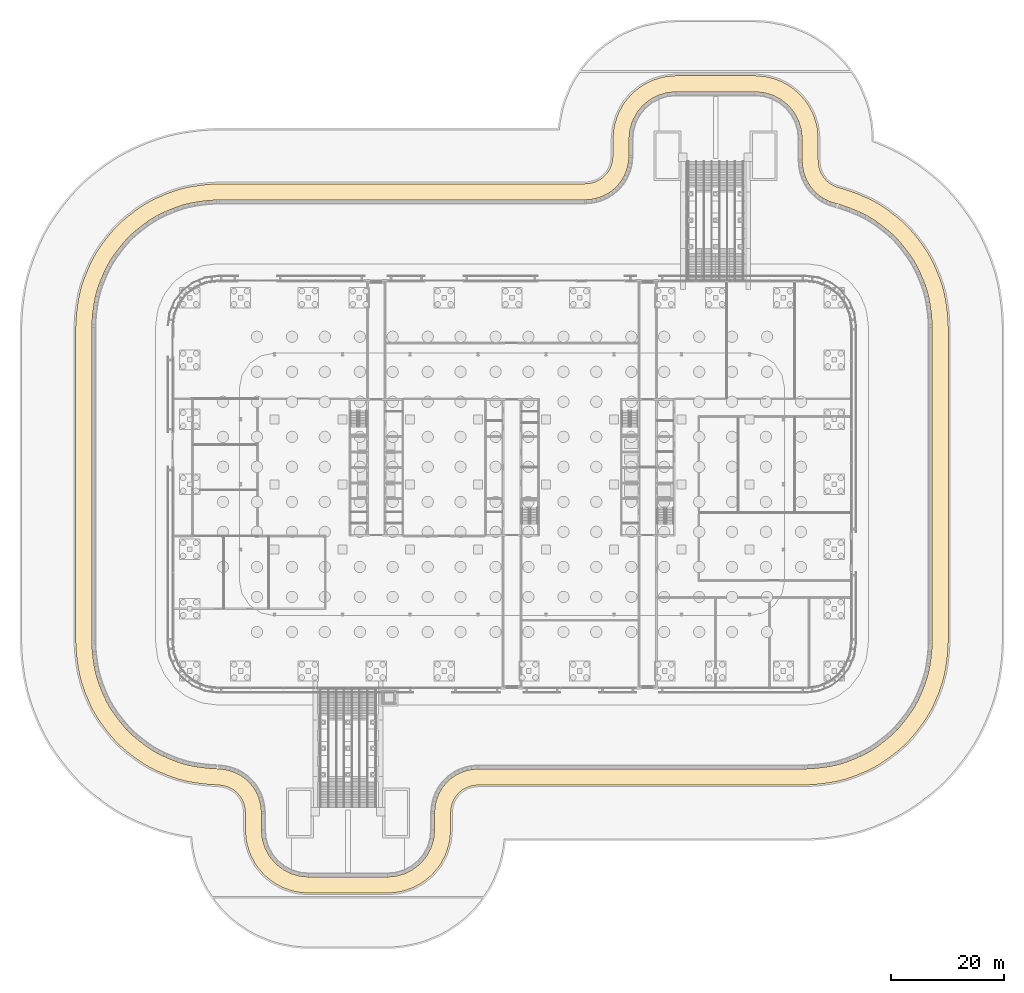
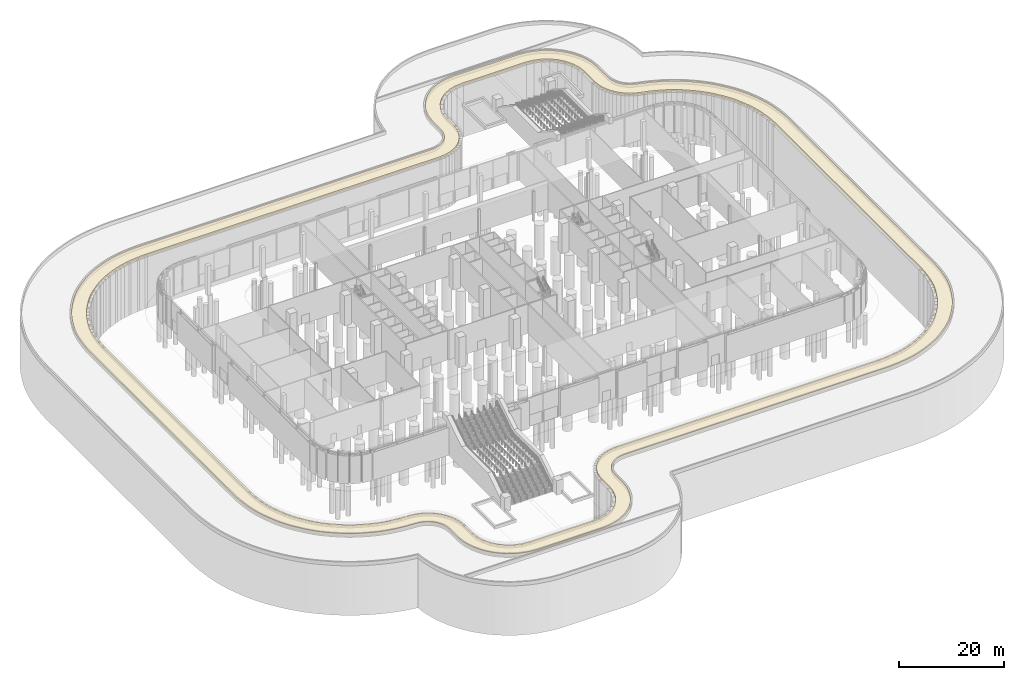
# One storey, part 42 of 48: 1 covering.
"""IFC4 building model written with IfcOpenShell, lengths in metres."""

from ifc_helpers import new_model, si_unit, direction, frame, origin, place, context, subcontext, project, spatial, polyline, outline, extrude, material, layer, layer_set, type_object, element, save


model = new_model("IFC4")

# Units and contexts
model_context = context("Model", 3, precision=1e-05, world=origin(), true_north=direction((0.0, 1.0)))
body_context = subcontext(model_context, "Body", "Model", "MODEL_VIEW")
ifc_project = project(units=[si_unit("LENGTHUNIT", "METRE"), si_unit("AREAUNIT", "SQUARE_METRE"), si_unit("VOLUMEUNIT", "CUBIC_METRE"), si_unit("PLANEANGLEUNIT", "RADIAN"), si_unit("MASSUNIT", "GRAM", prefix="KILO")], contexts=[model_context])

# Site, building, storey
site_placement = place(None, origin())
site = spatial("IfcSite", under=ifc_project, at=site_placement, CompositionType="ELEMENT")
building_placement = place(site_placement, origin())
building = spatial("IfcBuilding", under=site, at=building_placement, Name="Mahtab Terrace Research Tower", CompositionType="ELEMENT")
storey_placement = place(building_placement, origin())
storey = spatial("IfcBuildingStorey", under=building, at=storey_placement, Name="G", CompositionType="ELEMENT", Elevation=0.0)

# Covering
ifc_material = material(Name="Granite paving", Category="masonry")
ifc_layer = layer(ifc_material, 0.669921875)
ifc_layer_set = layer_set([ifc_layer], Name="Granite footpath paving 670")
covering_type = type_object("IfcCoveringType", Name="Granite footpath paving 670", PredefinedType="FLOORING", material=ifc_layer_set)
covering_placement = place(storey_placement, frame((0.0, 0.0, -0.699951171875)))
element("IfcCovering", 1, at=covering_placement, inside=storey, type_object=covering_type, Name="Street footpath 1", PredefinedType="FLOORING", context=body_context, shape_type="SweptSolid", body=[
    extrude(outline(polyline([(-76.6640625, 32.669921875), (-76.64501953125, 32.77392578125), (-76.44189453125, 33.7939453125), (-76.39404296875, 34.0), (-76.1240234375, 35.0048828125), (-76.06298828125, 35.20703125), (-75.72900390625, 36.19189453125), (-75.693115234375, 36.291015625), (-75.510009765625, 36.779052734375), (-75.470947265625, 36.876953125), (-74.873046875, 38.320068359375), (-74.8310546875, 38.4169921875), (-74.615966796875, 38.89111328125), (-74.571044921875, 38.986083984375), (-74.111083984375, 39.919921875), (-74.011962890625, 40.10595703125), (-73.490966796875, 41.007080078125), (-73.3798828125, 41.18603515625), (-72.802001953125, 42.052001953125), (-72.741943359375, 42.138916015625), (-72.43896484375, 42.56201171875), (-72.3759765625, 42.64697265625), (-71.425048828125, 43.885986328125), (-71.35888671875, 43.968994140625), (-71.028076171875, 44.3720703125), (-70.9599609375, 44.452880859375), (-70.27294921875, 45.237060546875), (-70.1279296875, 45.39111328125), (-69.39111328125, 46.1279296875), (-69.237060546875, 46.27294921875), (-68.451904296875, 46.9599609375), (-68.3720703125, 47.029052734375), (-67.968994140625, 47.360107421875), (-67.885986328125, 47.425048828125), (-66.64599609375, 48.3759765625), (-66.56201171875, 48.43896484375), (-66.137939453125, 48.741943359375), (-66.052001953125, 48.802001953125), (-65.18603515625, 49.3798828125), (-65.007080078125, 49.490966796875), (-64.10595703125, 50.011962890625), (-63.919921875, 50.111083984375), (-62.986083984375, 50.571044921875), (-62.89111328125, 50.615966796875), (-62.4169921875, 50.8310546875), (-62.320068359375, 50.873046875), (-60.876953125, 51.470947265625), (-60.779052734375, 51.510009765625), (-60.291015625, 51.693115234375), (-60.19189453125, 51.72900390625), (-59.20703125, 52.06298828125), (-59.0048828125, 52.1240234375), (-57.9990234375, 52.39404296875), (-57.7939453125, 52.44189453125), (-56.77294921875, 52.64501953125), (-56.669921875, 52.6640625), (-56.156005859375, 52.7490234375), (-56.052001953125, 52.763916015625), (-54.501953125, 52.968017578125), (-54.39697265625, 52.98095703125), (-53.8779296875, 53.031982421875), (-53.77294921875, 53.0400390625), (-52.468994140625, 53.1259765625), (-52.364013671875, 53.131103515625), (-51.842041015625, 53.14794921875), (-51.736083984375, 53.14990234375), (12.722900390625, 53.14990234375), (12.72998046875, 53.14990234375), (12.9599609375, 53.160888671875), (12.967041015625, 53.162109375), (13.699951171875, 53.23388671875), (13.714111328125, 53.236083984375), (14.1630859375, 53.325927734375), (14.177978515625, 53.3291015625), (14.615966796875, 53.4619140625), (14.6298828125, 53.467041015625), (15.052978515625, 53.64208984375), (15.06591796875, 53.64892578125), (15.469970703125, 53.864990234375), (15.48291015625, 53.8720703125), (15.864013671875, 54.126953125), (15.875, 54.135009765625), (16.22900390625, 54.426025390625), (16.239990234375, 54.43603515625), (16.56396484375, 54.760009765625), (16.573974609375, 54.77099609375), (16.864990234375, 55.125), (16.873046875, 55.135986328125), (17.1279296875, 55.51708984375), (17.135009765625, 55.530029296875), (17.35107421875, 55.93408203125), (17.35791015625, 55.947021484375), (17.532958984375, 56.3701171875), (17.5380859375, 56.384033203125), (17.6708984375, 56.822021484375), (17.674072265625, 56.8369140625), (17.763916015625, 57.285888671875), (17.76611328125, 57.300048828125), (17.837890625, 58.032958984375), (17.839111328125, 58.0400390625), (17.85009765625, 58.27001953125), (17.85009765625, 58.277099609375), (17.85009765625, 61.111083984375), (17.865966796875, 61.427001953125), (18.01806640625, 62.97705078125), (18.14111328125, 63.596923828125), (18.592041015625, 65.083984375), (18.833984375, 65.66796875), (19.56689453125, 67.0380859375), (19.91796875, 67.56396484375), (20.903076171875, 68.763916015625), (21.35107421875, 69.2119140625), (22.551025390625, 70.197021484375), (23.076904296875, 70.548095703125), (24.447021484375, 71.281005859375), (25.031005859375, 71.52294921875), (26.51806640625, 71.97412109375), (27.137939453125, 72.096923828125), (28.68798828125, 72.2490234375), (29.00390625, 72.264892578125), (42.99609375, 72.264892578125), (43.31201171875, 72.2490234375), (44.862060546875, 72.096923828125), (45.48193359375, 71.97412109375), (46.968994140625, 71.52294921875), (47.552978515625, 71.281005859375), (48.923095703125, 70.548095703125), (49.448974609375, 70.197021484375), (50.64892578125, 69.2119140625), (51.096923828125, 68.763916015625), (52.08203125, 67.56396484375), (52.43310546875, 67.0380859375), (53.166015625, 65.66796875), (53.407958984375, 65.083984375), (53.85888671875, 63.596923828125), (53.98193359375, 62.97705078125), (54.134033203125, 61.427001953125), (54.14990234375, 61.111083984375), (54.14990234375, 57.424072265625), (54.14990234375, 57.4169921875), (54.160888671875, 57.18701171875), (54.162109375, 57.179931640625), (54.23388671875, 56.447998046875), (54.236083984375, 56.43310546875), (54.325927734375, 55.98388671875), (54.3291015625, 55.969970703125), (54.4619140625, 55.531005859375), (54.467041015625, 55.51708984375), (54.64208984375, 55.093994140625), (54.64892578125, 55.0810546875), (54.864013671875, 54.677001953125), (54.8720703125, 54.6640625), (55.1259765625, 54.283935546875), (55.135009765625, 54.27197265625), (55.426025390625, 53.91796875), (55.43603515625, 53.906982421875), (55.759033203125, 53.5830078125), (55.77001953125, 53.572998046875), (56.1240234375, 53.282958984375), (56.135986328125, 53.27392578125), (56.51708984375, 53.01904296875), (56.530029296875, 53.011962890625), (56.93310546875, 52.7958984375), (56.947021484375, 52.7900390625), (57.3701171875, 52.614013671875), (57.384033203125, 52.60888671875), (58.263916015625, 52.342041015625), (58.26708984375, 52.341064453125), (58.341064453125, 52.320068359375), (58.343017578125, 52.320068359375), (58.50390625, 52.27587890625), (58.60595703125, 52.2470703125), (59.10498046875, 52.095947265625), (59.205078125, 52.06396484375), (60.19189453125, 51.72900390625), (60.291015625, 51.693115234375), (60.779052734375, 51.510009765625), (60.876953125, 51.470947265625), (62.320068359375, 50.873046875), (62.4169921875, 50.8310546875), (62.89111328125, 50.615966796875), (62.986083984375, 50.571044921875), (63.919921875, 50.111083984375), (64.10595703125, 50.011962890625), (65.007080078125, 49.490966796875), (65.18603515625, 49.3798828125), (66.052001953125, 48.802001953125), (66.138916015625, 48.741943359375), (66.56201171875, 48.43896484375), (66.64697265625, 48.3759765625), (67.885986328125, 47.425048828125), (67.968994140625, 47.35888671875), (68.3720703125, 47.028076171875), (68.452880859375, 46.9599609375), (69.237060546875, 46.27294921875), (69.39111328125, 46.1279296875), (70.1279296875, 45.39111328125), (70.27294921875, 45.237060546875), (70.9599609375, 44.451904296875), (71.029052734375, 44.3720703125), (71.360107421875, 43.968994140625), (71.425048828125, 43.885986328125), (72.3759765625, 42.64599609375), (72.43896484375, 42.56201171875), (72.741943359375, 42.137939453125), (72.802001953125, 42.052001953125), (73.3798828125, 41.18603515625), (73.490966796875, 41.007080078125), (74.011962890625, 40.10595703125), (74.111083984375, 39.919921875), (74.571044921875, 38.986083984375), (74.615966796875, 38.89111328125), (74.8310546875, 38.4169921875), (74.873046875, 38.320068359375), (75.470947265625, 36.876953125), (75.510009765625, 36.779052734375), (75.693115234375, 36.291015625), (75.72900390625, 36.19189453125), (76.06298828125, 35.20703125), (76.1240234375, 35.0048828125), (76.39404296875, 33.9990234375), (76.44189453125, 33.7939453125), (76.64501953125, 32.77294921875), (76.6640625, 32.669921875), (76.7490234375, 32.156005859375), (76.763916015625, 32.052001953125), (76.968017578125, 30.501953125), (76.98095703125, 30.39697265625), (77.031982421875, 29.8779296875), (77.0400390625, 29.77294921875), (77.1259765625, 28.468994140625), (77.131103515625, 28.364013671875), (77.14794921875, 27.842041015625), (77.14990234375, 27.736083984375), (77.14990234375, -27.737060546875), (77.14794921875, -27.842041015625), (77.131103515625, -28.364013671875), (77.1259765625, -28.468994140625), (77.0400390625, -29.77294921875), (77.031982421875, -29.8779296875), (76.98095703125, -30.39794921875), (76.968017578125, -30.5029296875), (76.763916015625, -32.052001953125), (76.7490234375, -32.156005859375), (76.6640625, -32.669921875), (76.64501953125, -32.77392578125), (76.44189453125, -33.7939453125), (76.39404296875, -34.0), (76.1240234375, -35.0048828125), (76.06298828125, -35.20703125), (75.72900390625, -36.19189453125), (75.693115234375, -36.291015625), (75.510009765625, -36.779052734375), (75.470947265625, -36.876953125), (74.873046875, -38.320068359375), (74.8310546875, -38.4169921875), (74.615966796875, -38.89111328125), (74.571044921875, -38.986083984375), (74.111083984375, -39.919921875), (74.011962890625, -40.10595703125), (73.490966796875, -41.007080078125), (73.3798828125, -41.18603515625), (72.802001953125, -42.052001953125), (72.741943359375, -42.138916015625), (72.43896484375, -42.56201171875), (72.3759765625, -42.64697265625), (71.425048828125, -43.885986328125), (71.35888671875, -43.968994140625), (71.028076171875, -44.3720703125), (70.9599609375, -44.452880859375), (70.27294921875, -45.237060546875), (70.1279296875, -45.39111328125), (69.39111328125, -46.1279296875), (69.237060546875, -46.27294921875), (68.451904296875, -46.9599609375), (68.3720703125, -47.029052734375), (67.968994140625, -47.360107421875), (67.885986328125, -47.425048828125), (66.64599609375, -48.3759765625), (66.56201171875, -48.43896484375), (66.137939453125, -48.741943359375), (66.052001953125, -48.802001953125), (65.18603515625, -49.3798828125), (65.007080078125, -49.490966796875), (64.10595703125, -50.011962890625), (63.919921875, -50.111083984375), (62.986083984375, -50.571044921875), (62.89111328125, -50.615966796875), (62.4169921875, -50.8310546875), (62.320068359375, -50.873046875), (60.876953125, -51.470947265625), (60.779052734375, -51.510009765625), (60.291015625, -51.693115234375), (60.19189453125, -51.72900390625), (59.20703125, -52.06298828125), (59.0048828125, -52.1240234375), (57.9990234375, -52.39404296875), (57.7939453125, -52.44189453125), (56.77294921875, -52.64501953125), (56.669921875, -52.6640625), (56.156005859375, -52.7490234375), (56.052001953125, -52.763916015625), (54.501953125, -52.968017578125), (54.39697265625, -52.98095703125), (53.8779296875, -53.031982421875), (53.77294921875, -53.0400390625), (52.468994140625, -53.1259765625), (52.364013671875, -53.131103515625), (51.842041015625, -53.14794921875), (51.736083984375, -53.14990234375), (-5.722900390625, -53.14990234375), (-5.72998046875, -53.14990234375), (-5.9599609375, -53.160888671875), (-5.967041015625, -53.162109375), (-6.699951171875, -53.23388671875), (-6.714111328125, -53.236083984375), (-7.1630859375, -53.325927734375), (-7.177978515625, -53.3291015625), (-7.615966796875, -53.4619140625), (-7.6298828125, -53.467041015625), (-8.052978515625, -53.64208984375), (-8.06591796875, -53.64892578125), (-8.469970703125, -53.864990234375), (-8.48291015625, -53.8720703125), (-8.864013671875, -54.126953125), (-8.875, -54.135009765625), (-9.22900390625, -54.426025390625), (-9.239990234375, -54.43603515625), (-9.56396484375, -54.760009765625), (-9.573974609375, -54.77099609375), (-9.864990234375, -55.125), (-9.873046875, -55.135986328125), (-10.1279296875, -55.51708984375), (-10.135009765625, -55.530029296875), (-10.35107421875, -55.93408203125), (-10.35791015625, -55.947021484375), (-10.532958984375, -56.3701171875), (-10.5380859375, -56.384033203125), (-10.6708984375, -56.822021484375), (-10.674072265625, -56.8369140625), (-10.763916015625, -57.285888671875), (-10.76611328125, -57.300048828125), (-10.837890625, -58.032958984375), (-10.839111328125, -58.0400390625), (-10.85009765625, -58.27001953125), (-10.85009765625, -58.277099609375), (-10.85009765625, -61.111083984375), (-10.865966796875, -61.427001953125), (-11.01806640625, -62.97705078125), (-11.14111328125, -63.596923828125), (-11.592041015625, -65.083984375), (-11.833984375, -65.66796875), (-12.56689453125, -67.0380859375), (-12.91796875, -67.56396484375), (-13.903076171875, -68.763916015625), (-14.35107421875, -69.2119140625), (-15.551025390625, -70.197021484375), (-16.076904296875, -70.548095703125), (-17.447021484375, -71.281005859375), (-18.031005859375, -71.52294921875), (-19.51806640625, -71.97412109375), (-20.137939453125, -72.096923828125), (-21.68798828125, -72.2490234375), (-22.00390625, -72.264892578125), (-35.99609375, -72.264892578125), (-36.31201171875, -72.2490234375), (-37.862060546875, -72.096923828125), (-38.48193359375, -71.97412109375), (-39.968994140625, -71.52294921875), (-40.552978515625, -71.281005859375), (-41.923095703125, -70.548095703125), (-42.448974609375, -70.197021484375), (-43.64892578125, -69.2119140625), (-44.096923828125, -68.763916015625), (-45.08203125, -67.56396484375), (-45.43310546875, -67.0380859375), (-46.166015625, -65.66796875), (-46.407958984375, -65.083984375), (-46.85888671875, -63.596923828125), (-46.98193359375, -62.97705078125), (-47.134033203125, -61.427001953125), (-47.14990234375, -61.111083984375), (-47.14990234375, -58.27197265625), (-47.14990234375, -58.263916015625), (-47.160888671875, -58.0390625), (-47.162109375, -58.031982421875), (-47.23095703125, -57.31494140625), (-47.23291015625, -57.301025390625), (-47.318115234375, -56.860107421875), (-47.322021484375, -56.845947265625), (-47.448974609375, -56.416015625), (-47.4541015625, -56.403076171875), (-47.623046875, -55.987060546875), (-47.62890625, -55.97412109375), (-47.8359375, -55.575927734375), (-47.843017578125, -55.56298828125), (-48.087890625, -55.18701171875), (-48.095947265625, -55.176025390625), (-48.3759765625, -54.824951171875), (-48.385009765625, -54.81396484375), (-48.697021484375, -54.491943359375), (-48.7080078125, -54.48193359375), (-49.049072265625, -54.19091796875), (-49.06103515625, -54.181884765625), (-49.428955078125, -53.925048828125), (-49.44091796875, -53.91796875), (-49.8310546875, -53.697021484375), (-49.843994140625, -53.69091796875), (-50.25390625, -53.509033203125), (-50.26806640625, -53.50390625), (-50.694091796875, -53.362060546875), (-50.70703125, -53.35791015625), (-51.14501953125, -53.258056640625), (-51.158935546875, -53.256103515625), (-51.873046875, -53.1630859375), (-51.881103515625, -53.162109375), (-52.10693359375, -53.14404296875), (-52.113037109375, -53.14404296875), (-52.155029296875, -53.14208984375), (-52.416015625, -53.12890625), (-52.468017578125, -53.1259765625), (-53.77294921875, -53.0400390625), (-53.8779296875, -53.031982421875), (-54.39794921875, -52.98095703125), (-54.5029296875, -52.968017578125), (-56.052001953125, -52.763916015625), (-56.156005859375, -52.7490234375), (-56.669921875, -52.6640625), (-56.77392578125, -52.64501953125), (-57.7939453125, -52.44189453125), (-58.0, -52.39404296875), (-59.0048828125, -52.1240234375), (-59.20703125, -52.06298828125), (-60.19189453125, -51.72900390625), (-60.291015625, -51.693115234375), (-60.779052734375, -51.510009765625), (-60.876953125, -51.470947265625), (-62.320068359375, -50.873046875), (-62.4169921875, -50.8310546875), (-62.89111328125, -50.615966796875), (-62.986083984375, -50.571044921875), (-63.919921875, -50.111083984375), (-64.10595703125, -50.011962890625), (-65.007080078125, -49.490966796875), (-65.18603515625, -49.3798828125), (-66.052001953125, -48.802001953125), (-66.138916015625, -48.741943359375), (-66.56201171875, -48.43896484375), (-66.64697265625, -48.3759765625), (-67.885986328125, -47.425048828125), (-67.968994140625, -47.35888671875), (-68.3720703125, -47.028076171875), (-68.452880859375, -46.9599609375), (-69.237060546875, -46.27294921875), (-69.39111328125, -46.1279296875), (-70.1279296875, -45.39111328125), (-70.27294921875, -45.237060546875), (-70.9599609375, -44.451904296875), (-71.029052734375, -44.3720703125), (-71.360107421875, -43.968994140625), (-71.425048828125, -43.885986328125), (-72.3759765625, -42.64599609375), (-72.43896484375, -42.56201171875), (-72.741943359375, -42.137939453125), (-72.802001953125, -42.052001953125), (-73.3798828125, -41.18603515625), (-73.490966796875, -41.007080078125), (-74.011962890625, -40.10595703125), (-74.111083984375, -39.919921875), (-74.571044921875, -38.986083984375), (-74.615966796875, -38.89111328125), (-74.8310546875, -38.4169921875), (-74.873046875, -38.320068359375), (-75.470947265625, -36.876953125), (-75.510009765625, -36.779052734375), (-75.693115234375, -36.291015625), (-75.72900390625, -36.19189453125), (-76.06298828125, -35.20703125), (-76.1240234375, -35.0048828125), (-76.39404296875, -33.9990234375), (-76.44189453125, -33.7939453125), (-76.64501953125, -32.77294921875), (-76.6640625, -32.669921875), (-76.7490234375, -32.156005859375), (-76.763916015625, -32.052001953125), (-76.968017578125, -30.501953125), (-76.98095703125, -30.39697265625), (-77.031982421875, -29.8779296875), (-77.0400390625, -29.77294921875), (-77.1259765625, -28.468994140625), (-77.131103515625, -28.364013671875), (-77.14794921875, -27.842041015625), (-77.14990234375, -27.736083984375), (-77.14990234375, 27.737060546875), (-77.14794921875, 27.842041015625), (-77.131103515625, 28.364013671875), (-77.1259765625, 28.468994140625), (-77.0400390625, 29.77294921875), (-77.031982421875, 29.8779296875), (-76.98095703125, 30.39794921875), (-76.968017578125, 30.5029296875), (-76.763916015625, 32.052001953125), (-76.7490234375, 32.156005859375), (-76.6640625, 32.669921875)]), holes=[polyline([(-74.14404296875, 30.1240234375), (-74.196044921875, 29.593017578125), (-74.282958984375, 28.277099609375), (-74.300048828125, 27.742919921875), (-74.300048828125, -27.742919921875), (-74.282958984375, -28.27587890625), (-74.196044921875, -29.592041015625), (-74.14404296875, -30.1240234375), (-73.93798828125, -31.68505859375), (-73.85107421875, -32.2109375), (-73.64404296875, -33.25), (-73.367919921875, -34.279052734375), (-73.028076171875, -35.281982421875), (-72.840087890625, -35.780029296875), (-72.238037109375, -37.235107421875), (-72.01806640625, -37.719970703125), (-71.549072265625, -38.669921875), (-71.01708984375, -39.593017578125), (-70.428955078125, -40.47412109375), (-70.117919921875, -40.906982421875), (-69.159912109375, -42.156005859375), (-68.821044921875, -42.569091796875), (-68.1220703125, -43.366943359375), (-67.366943359375, -44.1220703125), (-66.569091796875, -44.821044921875), (-66.156005859375, -45.159912109375), (-64.906982421875, -46.117919921875), (-64.47412109375, -46.428955078125), (-63.593017578125, -47.01708984375), (-62.669921875, -47.549072265625), (-61.720947265625, -48.01806640625), (-61.235107421875, -48.238037109375), (-59.781005859375, -48.840087890625), (-59.281982421875, -49.028076171875), (-58.279052734375, -49.367919921875), (-57.25, -49.64404296875), (-56.2109375, -49.85107421875), (-55.68505859375, -49.93798828125), (-54.1240234375, -50.14404296875), (-53.593017578125, -50.196044921875), (-52.279052734375, -50.281982421875), (-52.011962890625, -50.294921875), (-51.947021484375, -50.298095703125), (-51.5791015625, -50.326904296875), (-50.64892578125, -50.447998046875), (-49.930908203125, -50.612060546875), (-49.23095703125, -50.844970703125), (-48.556884765625, -51.14404296875), (-47.9150390625, -51.506103515625), (-47.31103515625, -51.927978515625), (-46.75, -52.406005859375), (-46.237060546875, -52.93603515625), (-45.778076171875, -53.511962890625), (-45.3759765625, -54.1298828125), (-45.034912109375, -54.783935546875), (-44.758056640625, -55.467041015625), (-44.549072265625, -56.174072265625), (-44.407958984375, -56.89794921875), (-44.318115234375, -57.830078125), (-44.300048828125, -58.199951171875), (-44.300048828125, -61.1298828125), (-44.14208984375, -62.735107421875), (-43.669921875, -64.2919921875), (-42.902099609375, -65.72705078125), (-41.8701171875, -66.985107421875), (-40.612060546875, -68.01708984375), (-39.177001953125, -68.784912109375), (-37.6201171875, -69.257080078125), (-36.014892578125, -69.4150390625), (-21.985107421875, -69.4150390625), (-20.3798828125, -69.257080078125), (-18.822998046875, -68.784912109375), (-17.387939453125, -68.01708984375), (-16.1298828125, -66.985107421875), (-15.097900390625, -65.72705078125), (-14.330078125, -64.2919921875), (-13.85791015625, -62.735107421875), (-13.699951171875, -61.1298828125), (-13.699951171875, -58.2041015625), (-13.680908203125, -57.826904296875), (-13.587890625, -56.8740234375), (-13.44091796875, -56.135986328125), (-13.221923828125, -55.416015625), (-12.93408203125, -54.719970703125), (-12.5791015625, -54.055908203125), (-12.160888671875, -53.430908203125), (-11.68408203125, -52.84912109375), (-11.15087890625, -52.31591796875), (-10.569091796875, -51.839111328125), (-9.944091796875, -51.4208984375), (-9.280029296875, -51.06591796875), (-8.583984375, -50.778076171875), (-7.864013671875, -50.55908203125), (-7.1259765625, -50.412109375), (-6.173095703125, -50.319091796875), (-5.7958984375, -50.300048828125), (51.742919921875, -50.300048828125), (52.27587890625, -50.282958984375), (53.592041015625, -50.196044921875), (54.1240234375, -50.14404296875), (55.68505859375, -49.93798828125), (56.2109375, -49.85107421875), (57.25, -49.64404296875), (58.279052734375, -49.367919921875), (59.281982421875, -49.028076171875), (59.780029296875, -48.840087890625), (61.235107421875, -48.238037109375), (61.719970703125, -48.01806640625), (62.669921875, -47.549072265625), (63.593017578125, -47.01708984375), (64.47412109375, -46.428955078125), (64.906982421875, -46.117919921875), (66.156005859375, -45.159912109375), (66.569091796875, -44.821044921875), (67.366943359375, -44.1220703125), (68.1220703125, -43.366943359375), (68.821044921875, -42.569091796875), (69.159912109375, -42.156005859375), (70.117919921875, -40.906982421875), (70.428955078125, -40.47412109375), (71.01708984375, -39.593017578125), (71.549072265625, -38.669921875), (72.01806640625, -37.720947265625), (72.238037109375, -37.235107421875), (72.840087890625, -35.781005859375), (73.028076171875, -35.281982421875), (73.367919921875, -34.279052734375), (73.64404296875, -33.25), (73.85107421875, -32.2109375), (73.93798828125, -31.68505859375), (74.14404296875, -30.1240234375), (74.196044921875, -29.593017578125), (74.282958984375, -28.277099609375), (74.300048828125, -27.742919921875), (74.300048828125, 27.742919921875), (74.282958984375, 28.27587890625), (74.196044921875, 29.592041015625), (74.14404296875, 30.1240234375), (73.93798828125, 31.68505859375), (73.85107421875, 32.2109375), (73.64404296875, 33.25), (73.367919921875, 34.279052734375), (73.028076171875, 35.281982421875), (72.840087890625, 35.780029296875), (72.238037109375, 37.235107421875), (72.01806640625, 37.719970703125), (71.549072265625, 38.669921875), (71.01708984375, 39.593017578125), (70.428955078125, 40.47412109375), (70.117919921875, 40.906982421875), (69.159912109375, 42.156005859375), (68.821044921875, 42.569091796875), (68.1220703125, 43.366943359375), (67.366943359375, 44.1220703125), (66.569091796875, 44.821044921875), (66.156005859375, 45.159912109375), (64.906982421875, 46.117919921875), (64.47412109375, 46.428955078125), (63.593017578125, 47.01708984375), (62.669921875, 47.549072265625), (61.720947265625, 48.01806640625), (61.235107421875, 48.238037109375), (59.781005859375, 48.840087890625), (59.281982421875, 49.028076171875), (58.282958984375, 49.366943359375), (57.77294921875, 49.52197265625), (57.58203125, 49.572998046875), (57.4599609375, 49.60791015625), (56.4150390625, 49.925048828125), (55.719970703125, 50.212890625), (55.055908203125, 50.568115234375), (54.429931640625, 50.986083984375), (53.847900390625, 51.464111328125), (53.31591796875, 51.99609375), (52.839111328125, 52.577880859375), (52.419921875, 53.2041015625), (52.06591796875, 53.867919921875), (51.778076171875, 54.56298828125), (51.55908203125, 55.282958984375), (51.412109375, 56.02197265625), (51.319091796875, 56.97412109375), (51.300048828125, 57.35107421875), (51.300048828125, 61.1298828125), (51.14208984375, 62.735107421875), (50.669921875, 64.2919921875), (49.902099609375, 65.72705078125), (48.8701171875, 66.985107421875), (47.612060546875, 68.01708984375), (46.177001953125, 68.784912109375), (44.6201171875, 69.257080078125), (43.014892578125, 69.4150390625), (28.985107421875, 69.4150390625), (27.3798828125, 69.257080078125), (25.822998046875, 68.784912109375), (24.387939453125, 68.01708984375), (23.1298828125, 66.985107421875), (22.097900390625, 65.72705078125), (21.330078125, 64.2919921875), (20.85791015625, 62.735107421875), (20.699951171875, 61.1298828125), (20.699951171875, 58.2041015625), (20.680908203125, 57.826904296875), (20.587890625, 56.8740234375), (20.44091796875, 56.135986328125), (20.221923828125, 55.416015625), (19.93408203125, 54.719970703125), (19.5791015625, 54.055908203125), (19.160888671875, 53.430908203125), (18.68408203125, 52.84912109375), (18.15087890625, 52.31591796875), (17.569091796875, 51.839111328125), (16.944091796875, 51.4208984375), (16.280029296875, 51.06591796875), (15.583984375, 50.778076171875), (14.864013671875, 50.55908203125), (14.1259765625, 50.412109375), (13.173095703125, 50.319091796875), (12.7958984375, 50.300048828125), (-51.742919921875, 50.300048828125), (-52.27587890625, 50.282958984375), (-53.592041015625, 50.196044921875), (-54.1240234375, 50.14404296875), (-55.68505859375, 49.93798828125), (-56.2109375, 49.85107421875), (-57.25, 49.64404296875), (-58.279052734375, 49.367919921875), (-59.281982421875, 49.028076171875), (-59.780029296875, 48.840087890625), (-61.235107421875, 48.238037109375), (-61.719970703125, 48.01806640625), (-62.669921875, 47.549072265625), (-63.593017578125, 47.01708984375), (-64.47412109375, 46.428955078125), (-64.906982421875, 46.117919921875), (-66.156005859375, 45.159912109375), (-66.569091796875, 44.821044921875), (-67.366943359375, 44.1220703125), (-68.1220703125, 43.366943359375), (-68.821044921875, 42.569091796875), (-69.159912109375, 42.156005859375), (-70.117919921875, 40.906982421875), (-70.428955078125, 40.47412109375), (-71.01708984375, 39.593017578125), (-71.549072265625, 38.669921875), (-72.01806640625, 37.720947265625), (-72.238037109375, 37.235107421875), (-72.840087890625, 35.781005859375), (-73.028076171875, 35.281982421875), (-73.367919921875, 34.279052734375), (-73.64404296875, 33.25), (-73.85107421875, 32.2109375), (-73.93798828125, 31.68505859375), (-74.14404296875, 30.1240234375)])]), origin(), (0.0, 0.0, 1.0), 0.669921875),
])

save(model, "model.ifc")
